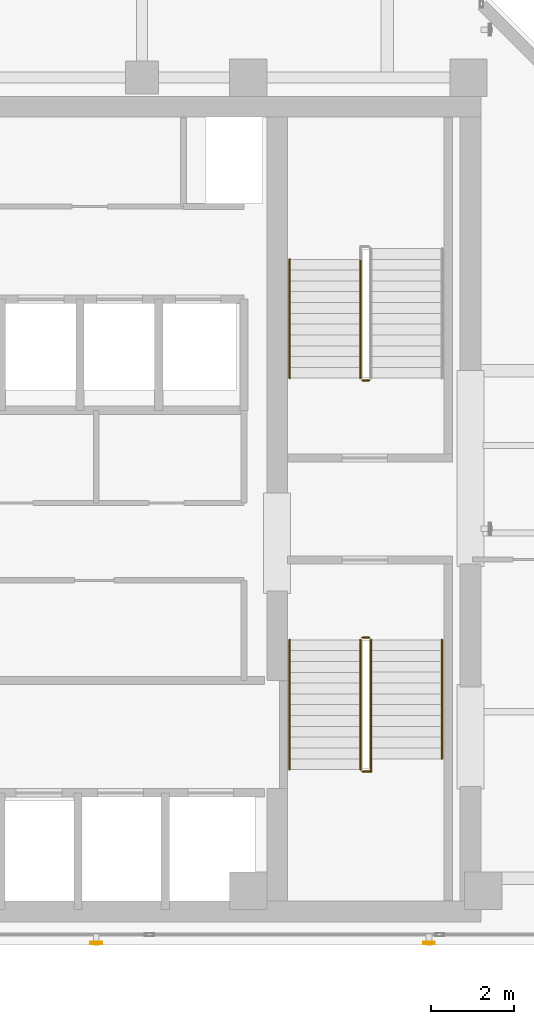
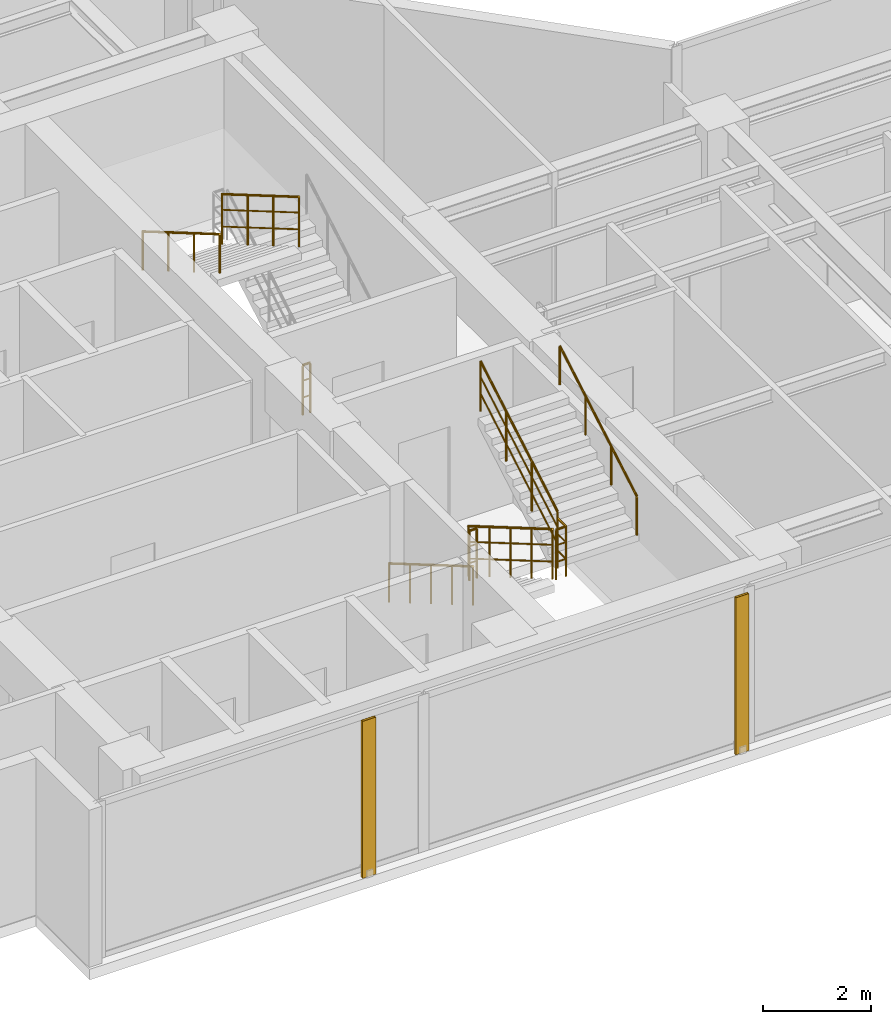
# One storey, part 20 of 23: 9 railings, 2 shading devices.
"""IFC4 building model written with IfcOpenShell, lengths in metres."""

from ifc_helpers import new_model, si_unit, direction, frame, origin, origin_2d, place, context, subcontext, project, spatial, hollow_rectangle, circle, extrude, material, material_profile, profile_set, type_object, element, save


model = new_model("IFC4")

# Units and contexts
model_context = context("Model", 3, precision=1e-05, world=origin(), true_north=direction((0.0, 1.0)))
body_context = subcontext(model_context, "Body", "Model", "MODEL_VIEW")
ifc_project = project(units=[si_unit("LENGTHUNIT", "METRE"), si_unit("AREAUNIT", "SQUARE_METRE"), si_unit("VOLUMEUNIT", "CUBIC_METRE"), si_unit("PLANEANGLEUNIT", "RADIAN"), si_unit("MASSUNIT", "GRAM", prefix="KILO")], contexts=[model_context])

# Site, building, storey
site_placement = place(None, origin())
site = spatial("IfcSite", under=ifc_project, at=site_placement, CompositionType="ELEMENT")
building_placement = place(site_placement, origin())
building = spatial("IfcBuilding", under=site, at=building_placement, Name="Kolvaren Waterfront Exchange", CompositionType="ELEMENT")
storey_placement = place(building_placement, frame((0.0, 0.0, 297.0)))
storey = spatial("IfcBuildingStorey", under=building, at=storey_placement, Name="L76", CompositionType="ELEMENT", Elevation=297.0)

# Shading devices
ifc_material_1 = material(Name="Anodised bronze aluminium 6063-T6", Category="aluminium")
ifc_material_profile = material_profile(ifc_material_1, hollow_rectangle(XDim=0.054931640625, YDim=0.280029296875, WallThickness=0.00439453125, at=origin_2d()), Name="BRZ-FIN-280x55x4.5")
ifc_profile_set = profile_set([ifc_material_profile], Name="Anodised bronze aluminium 6063-T6")
shading_device_type = type_object("IfcShadingDeviceType", Name="ARC-FIN-280", PredefinedType="USERDEFINED", material=ifc_profile_set)
for number, where, z_axis, x_axis, name in (
    (1, (11.800048828125, 3.639892578125, 0.0), (0.0, 0.0, 1.0), (0.0, -1.0, 0.0), "L76 anodised bronze solar shading fin FIN-L76-S1"),
    (2, (19.800048828125, 3.639892578125, 0.0), (0.0, 0.0, 1.0), (0.0, -1.0, 0.0), "L76 anodised bronze solar shading fin FIN-L76-S2"),
):
    element("IfcShadingDevice", number, at=place(storey_placement, frame(where, z_axis=z_axis, x_axis=x_axis)), inside=storey, type_object=shading_device_type, Name=name, ObjectType="SOLAR FIN", PredefinedType="USERDEFINED", context=body_context, shape_type="SweptSolid", body=[
        extrude(hollow_rectangle(XDim=0.054931640625, YDim=0.280029296875, WallThickness=0.00439453125, at=origin_2d()), origin(), (0.0, 0.0, 1.0), 3.56005859375),
    ])

# Railings
ifc_material_2 = material(Name="Stainless steel 316", Category="steel")
railing_type_1 = type_object("IfcRailingType", Name="ARC-GUARD-STAIR", PredefinedType="GUARDRAIL", material=ifc_material_2)
railing_1_placement = place(storey_placement, frame((18.14990234375, 10.929931640625, 0.152099609375)))
element("IfcRailing", 3, at=railing_1_placement, inside=storey, type_object=railing_type_1, Name="L76 ST1 stair guard 1", PredefinedType="GUARDRAIL", context=body_context, shape_type="SweptSolid", body=[
    extrude(circle(Radius=0.02392578125, at=origin_2d()), frame((0.0, 0.0, 1.1259765625), z_axis=(0.0, -0.86329090724, 0.504706656858), x_axis=(1.0, 0.0, 0.0)), (0.0, 0.0, 1.0), 3.614013671875),
    extrude(circle(Radius=0.01611328125, at=origin_2d()), frame((0.0, 0.0, 0.390869140625), z_axis=(0.0, -0.86329090724, 0.504706656858), x_axis=(1.0, 0.0, 0.0)), (0.0, 0.0, 1.0), 3.614013671875),
    extrude(circle(Radius=0.01611328125, at=origin_2d()), frame((0.0, 0.0, 0.7705078125), z_axis=(0.0, -0.86329090724, 0.504706656858), x_axis=(1.0, 0.0, 0.0)), (0.0, 0.0, 1.0), 3.614013671875),
    extrude(circle(Radius=0.02099609375, at=origin_2d()), origin(), (0.0, 0.0, 1.0), 1.101806640625),
    extrude(circle(Radius=0.02099609375, at=origin_2d()), frame((0.0, -0.780029296875, 0.4560546875)), (0.0, 0.0, 1.0), 1.101806640625),
    extrude(circle(Radius=0.02099609375, at=origin_2d()), frame((0.0, -1.56005859375, 0.912109375)), (0.0, 0.0, 1.0), 1.101806640625),
    extrude(circle(Radius=0.02099609375, at=origin_2d()), frame((0.0, -2.33984375, 1.367919921875)), (0.0, 0.0, 1.0), 1.101806640625),
    extrude(circle(Radius=0.02099609375, at=origin_2d()), frame((0.0, -3.119873046875, 1.823974609375)), (0.0, 0.0, 1.0), 1.101806640625),
])
railing_2_placement = place(storey_placement, frame((18.199951171875, 7.760009765625, 1.97607421875)))
element("IfcRailing", 4, at=railing_2_placement, inside=storey, type_object=railing_type_1, Name="L76 ST1 stair guard 2", PredefinedType="GUARDRAIL", context=body_context, shape_type="SweptSolid", body=[
    extrude(circle(Radius=0.02392578125, at=origin_2d()), frame((0.0, 0.0, 1.1259765625), z_axis=(1.0, 0.0, 0.0), x_axis=(0.0, 1.0, 0.0)), (0.0, 0.0, 1.0), 0.2099609375),
    extrude(circle(Radius=0.01611328125, at=origin_2d()), frame((0.0, 0.0, 0.390869140625), z_axis=(1.0, 0.0, 0.0), x_axis=(0.0, 1.0, 0.0)), (0.0, 0.0, 1.0), 0.2099609375),
    extrude(circle(Radius=0.01611328125, at=origin_2d()), frame((0.0, 0.0, 0.7705078125), z_axis=(1.0, 0.0, 0.0), x_axis=(0.0, 1.0, 0.0)), (0.0, 0.0, 1.0), 0.2099609375),
    extrude(circle(Radius=0.02392578125, at=origin_2d()), frame((0.2099609375, 0.0, 1.1259765625), z_axis=(0.0, 1.0, 0.0), x_axis=(-1.0, 0.0, 0.0)), (0.0, 0.0, 1.0), 0.31005859375),
    extrude(circle(Radius=0.01611328125, at=origin_2d()), frame((0.2099609375, 0.0, 0.390869140625), z_axis=(0.0, 1.0, 0.0), x_axis=(-1.0, 0.0, 0.0)), (0.0, 0.0, 1.0), 0.31005859375),
    extrude(circle(Radius=0.01611328125, at=origin_2d()), frame((0.2099609375, 0.0, 0.7705078125), z_axis=(0.0, 1.0, 0.0), x_axis=(-1.0, 0.0, 0.0)), (0.0, 0.0, 1.0), 0.31005859375),
    extrude(circle(Radius=0.02099609375, at=origin_2d()), origin(), (0.0, 0.0, 1.0), 1.101806640625),
    extrude(circle(Radius=0.02099609375, at=origin_2d()), frame((0.2099609375, 0.0, 0.0)), (0.0, 0.0, 1.0), 1.101806640625),
    extrude(circle(Radius=0.02099609375, at=origin_2d()), frame((0.2099609375, 0.31005859375, 0.0)), (0.0, 0.0, 1.0), 1.101806640625),
])
railing_3_placement = place(storey_placement, frame((18.409912109375, 8.070068359375, 2.1279296875)))
element("IfcRailing", 5, at=railing_3_placement, inside=storey, type_object=railing_type_1, Name="L76 ST1 stair guard 3", PredefinedType="GUARDRAIL", context=body_context, shape_type="SweptSolid", body=[
    extrude(circle(Radius=0.02392578125, at=origin_2d()), frame((0.0, 0.0, 1.1259765625), z_axis=(0.0, 0.863270611444, 0.50474137082), x_axis=(-1.0, 0.0, 0.0)), (0.0, 0.0, 1.0), 3.312744140625),
    extrude(circle(Radius=0.01611328125, at=origin_2d()), frame((0.0, 0.0, 0.390869140625), z_axis=(0.0, 0.863270611444, 0.50474137082), x_axis=(-1.0, 0.0, 0.0)), (0.0, 0.0, 1.0), 3.312744140625),
    extrude(circle(Radius=0.01611328125, at=origin_2d()), frame((0.0, 0.0, 0.7705078125), z_axis=(0.0, 0.863270611444, 0.50474137082), x_axis=(-1.0, 0.0, 0.0)), (0.0, 0.0, 1.0), 3.312744140625),
    extrude(circle(Radius=0.02099609375, at=origin_2d()), origin(), (0.0, 0.0, 1.0), 1.101806640625),
    extrude(circle(Radius=0.02099609375, at=origin_2d()), frame((0.0, 0.953369140625, 0.557373046875)), (0.0, 0.0, 1.0), 1.101806640625),
    extrude(circle(Radius=0.02099609375, at=origin_2d()), frame((0.0, 1.906494140625, 1.11474609375)), (0.0, 0.0, 1.0), 1.101806640625),
    extrude(circle(Radius=0.02099609375, at=origin_2d()), frame((0.0, 2.85986328125, 1.672119140625)), (0.0, 0.0, 1.0), 1.101806640625),
])
railing_4_placement = place(storey_placement, frame((18.199951171875, 10.97998046875, 0.0)))
element("IfcRailing", 6, at=railing_4_placement, inside=storey, type_object=railing_type_1, Name="L76 ST1 stair guard 4", PredefinedType="GUARDRAIL", context=body_context, shape_type="SweptSolid", body=[
    extrude(circle(Radius=0.02392578125, at=origin_2d()), frame((0.0, 0.0, 1.1259765625), z_axis=(1.0, 0.0, 0.0), x_axis=(0.0, 1.0, 0.0)), (0.0, 0.0, 1.0), 0.16015625),
    extrude(circle(Radius=0.01611328125, at=origin_2d()), frame((0.0, 0.0, 0.390869140625), z_axis=(1.0, 0.0, 0.0), x_axis=(0.0, 1.0, 0.0)), (0.0, 0.0, 1.0), 0.16015625),
    extrude(circle(Radius=0.01611328125, at=origin_2d()), frame((0.0, 0.0, 0.7705078125), z_axis=(1.0, 0.0, 0.0), x_axis=(0.0, 1.0, 0.0)), (0.0, 0.0, 1.0), 0.16015625),
    extrude(circle(Radius=0.02099609375, at=origin_2d()), origin(), (0.0, 0.0, 1.0), 1.101806640625),
    extrude(circle(Radius=0.02099609375, at=origin_2d()), frame((0.16015625, 0.0, 0.0)), (0.0, 0.0, 1.0), 1.101806640625),
])
railing_5_placement = place(storey_placement, frame((18.14990234375, 20.080078125, 2.1279296875)))
element("IfcRailing", 7, at=railing_5_placement, inside=storey, type_object=railing_type_1, Name="L76 ST2 stair guard 3", PredefinedType="GUARDRAIL", context=body_context, shape_type="SweptSolid", body=[
    extrude(circle(Radius=0.02392578125, at=origin_2d()), frame((0.0, 0.0, 1.1259765625), z_axis=(0.0, -0.863289384635, 0.504709261235), x_axis=(1.0, 0.0, 0.0)), (0.0, 0.0, 1.0), 3.31298828125),
    extrude(circle(Radius=0.01611328125, at=origin_2d()), frame((0.0, 0.0, 0.390869140625), z_axis=(0.0, -0.863289384635, 0.504709261235), x_axis=(1.0, 0.0, 0.0)), (0.0, 0.0, 1.0), 3.31298828125),
    extrude(circle(Radius=0.01611328125, at=origin_2d()), frame((0.0, 0.0, 0.7705078125), z_axis=(0.0, -0.863289384635, 0.504709261235), x_axis=(1.0, 0.0, 0.0)), (0.0, 0.0, 1.0), 3.31298828125),
    extrude(circle(Radius=0.02099609375, at=origin_2d()), origin(), (0.0, 0.0, 1.0), 1.101806640625),
    extrude(circle(Radius=0.02099609375, at=origin_2d()), frame((0.0, -0.953369140625, 0.557373046875)), (0.0, 0.0, 1.0), 1.101806640625),
    extrude(circle(Radius=0.02099609375, at=origin_2d()), frame((0.0, -1.90673828125, 1.11474609375)), (0.0, 0.0, 1.0), 1.101806640625),
    extrude(circle(Radius=0.02099609375, at=origin_2d()), frame((0.0, -2.860107421875, 1.672119140625)), (0.0, 0.0, 1.0), 1.101806640625),
])
railing_6_placement = place(storey_placement, frame((18.360107421875, 17.169921875, 0.0)))
element("IfcRailing", 8, at=railing_6_placement, inside=storey, type_object=railing_type_1, Name="L76 ST2 stair guard 4", PredefinedType="GUARDRAIL", context=body_context, shape_type="SweptSolid", body=[
    extrude(circle(Radius=0.02392578125, at=origin_2d()), frame((0.0, 0.0, 1.1259765625), z_axis=(-1.0, 0.0, 0.0), x_axis=(0.0, -1.0, 0.0)), (0.0, 0.0, 1.0), 0.16015625),
    extrude(circle(Radius=0.01611328125, at=origin_2d()), frame((0.0, 0.0, 0.390869140625), z_axis=(-1.0, 0.0, 0.0), x_axis=(0.0, -1.0, 0.0)), (0.0, 0.0, 1.0), 0.16015625),
    extrude(circle(Radius=0.01611328125, at=origin_2d()), frame((0.0, 0.0, 0.7705078125), z_axis=(-1.0, 0.0, 0.0), x_axis=(0.0, -1.0, 0.0)), (0.0, 0.0, 1.0), 0.16015625),
    extrude(circle(Radius=0.02099609375, at=origin_2d()), origin(), (0.0, 0.0, 1.0), 1.101806640625),
    extrude(circle(Radius=0.02099609375, at=origin_2d()), frame((-0.16015625, 0.0, 0.0)), (0.0, 0.0, 1.0), 1.101806640625),
])
railing_type_2 = type_object("IfcRailingType", Name="ARC-HANDRAIL-900", PredefinedType="HANDRAIL", material=ifc_material_2)
railing_7_placement = place(storey_placement, frame((16.449951171875, 10.929931640625, 0.152099609375)))
element("IfcRailing", 9, at=railing_7_placement, inside=storey, type_object=railing_type_2, Name="L76 ST1 stair handrail 1", PredefinedType="HANDRAIL", context=body_context, shape_type="SweptSolid", body=[
    extrude(circle(Radius=0.02392578125, at=origin_2d()), frame((0.0, 0.0, 0.8759765625), z_axis=(0.0, -0.86329090724, 0.504706656858), x_axis=(1.0, 0.0, 0.0)), (0.0, 0.0, 1.0), 3.614013671875),
    extrude(circle(Radius=0.02099609375, at=origin_2d()), origin(), (0.0, 0.0, 1.0), 0.851806640625),
    extrude(circle(Radius=0.02099609375, at=origin_2d()), frame((0.0, -0.780029296875, 0.4560546875)), (0.0, 0.0, 1.0), 0.851806640625),
    extrude(circle(Radius=0.02099609375, at=origin_2d()), frame((0.0, -1.56005859375, 0.912109375)), (0.0, 0.0, 1.0), 0.851806640625),
    extrude(circle(Radius=0.02099609375, at=origin_2d()), frame((0.0, -2.33984375, 1.367919921875)), (0.0, 0.0, 1.0), 0.851806640625),
    extrude(circle(Radius=0.02099609375, at=origin_2d()), frame((0.0, -3.119873046875, 1.823974609375)), (0.0, 0.0, 1.0), 0.851806640625),
])
railing_8_placement = place(storey_placement, frame((20.110107421875, 8.070068359375, 2.1279296875)))
element("IfcRailing", 10, at=railing_8_placement, inside=storey, type_object=railing_type_2, Name="L76 ST1 stair handrail 2", PredefinedType="HANDRAIL", context=body_context, shape_type="SweptSolid", body=[
    extrude(circle(Radius=0.02392578125, at=origin_2d()), frame((0.0, 0.0, 0.8759765625), z_axis=(0.0, 0.863270611444, 0.50474137082), x_axis=(-1.0, 0.0, 0.0)), (0.0, 0.0, 1.0), 3.312744140625),
    extrude(circle(Radius=0.02099609375, at=origin_2d()), origin(), (0.0, 0.0, 1.0), 0.851806640625),
    extrude(circle(Radius=0.02099609375, at=origin_2d()), frame((0.0, 0.953369140625, 0.557373046875)), (0.0, 0.0, 1.0), 0.851806640625),
    extrude(circle(Radius=0.02099609375, at=origin_2d()), frame((0.0, 1.906494140625, 1.11474609375)), (0.0, 0.0, 1.0), 0.851806640625),
    extrude(circle(Radius=0.02099609375, at=origin_2d()), frame((0.0, 2.85986328125, 1.672119140625)), (0.0, 0.0, 1.0), 0.851806640625),
])
railing_9_placement = place(storey_placement, frame((16.449951171875, 20.080078125, 2.1279296875)))
element("IfcRailing", 11, at=railing_9_placement, inside=storey, type_object=railing_type_2, Name="L76 ST2 stair handrail 2", PredefinedType="HANDRAIL", context=body_context, shape_type="SweptSolid", body=[
    extrude(circle(Radius=0.02392578125, at=origin_2d()), frame((0.0, 0.0, 0.8759765625), z_axis=(0.0, -0.863289384635, 0.504709261235), x_axis=(1.0, 0.0, 0.0)), (0.0, 0.0, 1.0), 3.31298828125),
    extrude(circle(Radius=0.02099609375, at=origin_2d()), origin(), (0.0, 0.0, 1.0), 0.851806640625),
    extrude(circle(Radius=0.02099609375, at=origin_2d()), frame((0.0, -0.953369140625, 0.557373046875)), (0.0, 0.0, 1.0), 0.851806640625),
    extrude(circle(Radius=0.02099609375, at=origin_2d()), frame((0.0, -1.90673828125, 1.11474609375)), (0.0, 0.0, 1.0), 0.851806640625),
    extrude(circle(Radius=0.02099609375, at=origin_2d()), frame((0.0, -2.860107421875, 1.672119140625)), (0.0, 0.0, 1.0), 0.851806640625),
])

save(model, "model.ifc")
